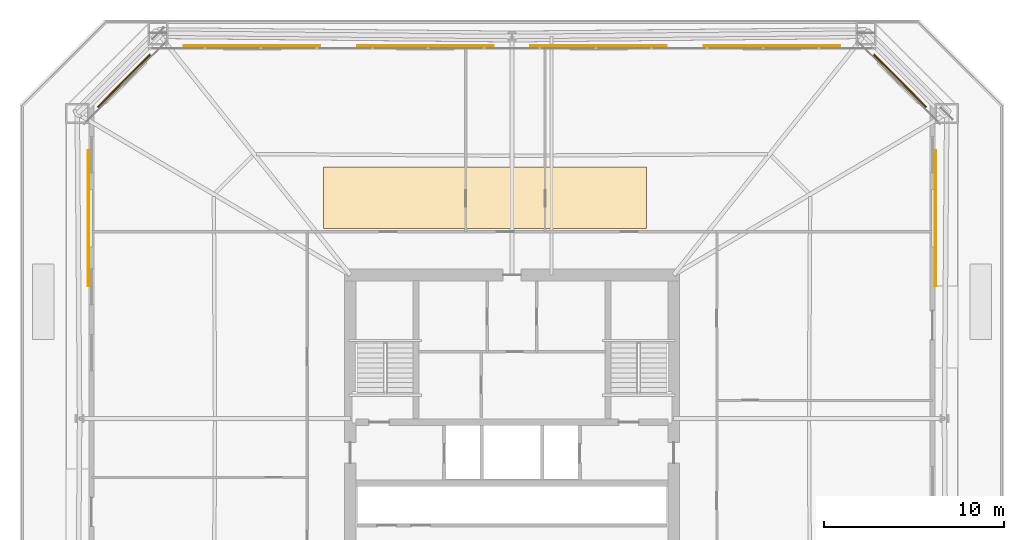
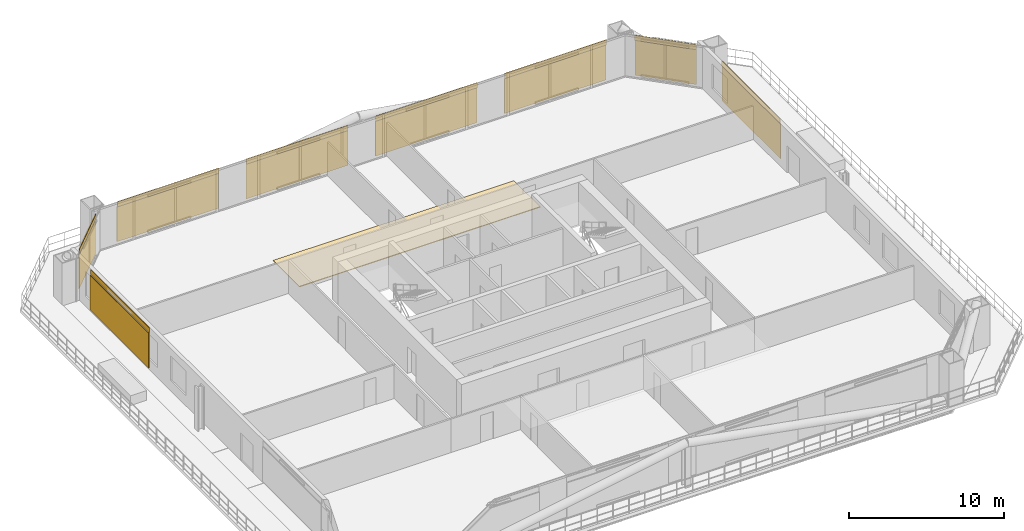
# One storey, part 34 of 34: 9 coverings, 8 shading devices.
"""IFC4 building model written with IfcOpenShell, lengths in metres."""

from ifc_helpers import new_model, si_unit, direction, frame, origin, origin_2d, place, context, subcontext, project, spatial, polyline, rectangle, outline, extrude, material, layer, layer_set, type_object, element, save


model = new_model("IFC4")

# Units and contexts
model_context = context("Model", 3, precision=1e-05, world=origin(), true_north=direction((0.0, 1.0)))
body_context = subcontext(model_context, "Body", "Model", "MODEL_VIEW")
ifc_project = project(units=[si_unit("LENGTHUNIT", "METRE"), si_unit("AREAUNIT", "SQUARE_METRE"), si_unit("VOLUMEUNIT", "CUBIC_METRE"), si_unit("PLANEANGLEUNIT", "RADIAN"), si_unit("MASSUNIT", "GRAM", prefix="KILO")], contexts=[model_context])

# Site, building, storey
site_placement = place(None, origin())
site = spatial("IfcSite", under=ifc_project, at=site_placement, CompositionType="ELEMENT")
building_placement = place(site_placement, origin())
building = spatial("IfcBuilding", under=site, at=building_placement, Name="Caelvoria Tower", CompositionType="ELEMENT")
storey_placement = place(building_placement, frame((0.0, 0.0, 28.0)))
storey = spatial("IfcBuildingStorey", under=building, at=storey_placement, Name="L06", CompositionType="ELEMENT", Elevation=28.0)

# Coverings
ifc_material_1 = material(Name="Perforated Architectural Bronze Cladding Screen", Category="bronze")
ifc_layer_1 = layer(ifc_material_1, 0.0400390625, Name="Perforated Architectural Bronze Cladding Screen")
ifc_layer_set_1 = layer_set([ifc_layer_1], Name="Perforated Bronze Louvre Cladding Band 40 - Perforated Architectural Bronze Cladding Screen")
covering_type_1 = type_object("IfcCoveringType", Name="Perforated Bronze Louvre Cladding Band 40", PredefinedType="CLADDING", material=ifc_layer_set_1)
covering_1_placement = place(storey_placement, frame((69.572021484375, 43.159912109375, 2.93994140625), z_axis=(0.0, 0.0, 1.0), x_axis=(0.0, 1.0, 0.0)))
element("IfcCovering", 1, at=covering_1_placement, inside=storey, type_object=covering_type_1, Name="Perforated Bronze Screen Band L06-E2-02", PredefinedType="CLADDING", context=body_context, shape_type="SweptSolid", body=[
    extrude(rectangle(XDim=7.60009765625, YDim=0.0400390625, at=origin_2d()), origin(), (0.0, 0.0, 1.0), 0.39990234375),
])
covering_2_placement = place(storey_placement, frame((67.59619140625, 50.79638671875, 2.93994140625), z_axis=(0.0, 0.0, 1.0), x_axis=(-0.707106781187, 0.707106781187, 0.0)))
element("IfcCovering", 2, at=covering_2_placement, inside=storey, type_object=covering_type_1, Name="Perforated Bronze Screen Band L06-E3-00", PredefinedType="CLADDING", context=body_context, shape_type="SweptSolid", body=[
    extrude(rectangle(XDim=4.140625, YDim=0.0400390625, at=origin_2d()), origin(), (0.0, 0.0, 1.0), 0.39990234375),
])
for number, where, z_axis, x_axis, name in (
    (3, (60.47509765625, 52.721923828125, 2.93994140625), (0.0, 0.0, 1.0), (-1.0, 0.0, 0.0), "Perforated Bronze Screen Band L06-E4-00"),
    (4, (50.824951171875, 52.721923828125, 2.93994140625), (0.0, 0.0, 1.0), (-1.0, 0.0, 0.0), "Perforated Bronze Screen Band L06-E4-01"),
    (5, (41.175048828125, 52.721923828125, 2.93994140625), (0.0, 0.0, 1.0), (-1.0, 0.0, 0.0), "Perforated Bronze Screen Band L06-E4-02"),
    (6, (31.52490234375, 52.721923828125, 2.93994140625), (0.0, 0.0, 1.0), (-1.0, 0.0, 0.0), "Perforated Bronze Screen Band L06-E4-03"),
):
    element("IfcCovering", number, at=place(storey_placement, frame(where, z_axis=z_axis, x_axis=x_axis)), inside=storey, type_object=covering_type_1, Name=name, PredefinedType="CLADDING", context=body_context, shape_type="SweptSolid", body=[
        extrude(rectangle(XDim=7.60009765625, YDim=0.0400390625, at=origin_2d()), origin(), (0.0, 0.0, 1.0), 0.39990234375),
    ])
covering_3_placement = place(storey_placement, frame((24.40380859375, 50.79638671875, 2.93994140625), z_axis=(0.0, 0.0, 1.0), x_axis=(-0.707106781187, -0.707106781187, 0.0)))
element("IfcCovering", 7, at=covering_3_placement, inside=storey, type_object=covering_type_1, Name="Perforated Bronze Screen Band L06-E5-00", PredefinedType="CLADDING", context=body_context, shape_type="SweptSolid", body=[
    extrude(rectangle(XDim=4.140625, YDim=0.0400390625, at=origin_2d()), origin(), (0.0, 0.0, 1.0), 0.39990234375),
])
covering_4_placement = place(storey_placement, frame((22.427978515625, 43.159912109375, 2.93994140625), z_axis=(0.0, 0.0, 1.0), x_axis=(0.0, -1.0, 0.0)))
element("IfcCovering", 8, at=covering_4_placement, inside=storey, type_object=covering_type_1, Name="Perforated Bronze Screen Band L06-E6-00", PredefinedType="CLADDING", context=body_context, shape_type="SweptSolid", body=[
    extrude(rectangle(XDim=7.60009765625, YDim=0.0400390625, at=origin_2d()), origin(), (0.0, 0.0, 1.0), 0.39990234375),
])

# Shading devices
ifc_material_2 = material(Name="Perforated Architectural Bronze Alloy Panel", Category="bronze")
ifc_layer_2 = layer(ifc_material_2, 0.044921875, Name="Perforated Architectural Bronze Alloy Panel")
ifc_layer_set_2 = layer_set([ifc_layer_2], Name="Perforated Bronze Solar Screen Panel SCREEN - Perforated Architectural Bronze Alloy Panel")
shading_device_type = type_object("IfcShadingDeviceType", Name="Perforated Bronze Solar Screen Panel SCREEN", PredefinedType="USERDEFINED", material=ifc_layer_set_2)
shading_device_1_placement = place(storey_placement, frame((69.614990234375, 43.159912109375, 0.159912109375), z_axis=(0.0, 0.0, 1.0), x_axis=(0.0, 1.0, 0.0)))
element("IfcShadingDevice", 9, at=shading_device_1_placement, inside=storey, type_object=shading_device_type, Name="Perforated Bronze Solar Screen L06-E2-02", ObjectType="SCREEN", PredefinedType="USERDEFINED", context=body_context, shape_type="SweptSolid", body=[
    extrude(rectangle(XDim=7.60009765625, YDim=0.044921875, at=origin_2d()), origin(), (0.0, 0.0, 1.0), 2.75),
])
shading_device_2_placement = place(storey_placement, frame((67.626708984375, 50.82666015625, 0.159912109375), z_axis=(0.0, 0.0, 1.0), x_axis=(-0.707106781187, 0.707106781187, 0.0)))
element("IfcShadingDevice", 10, at=shading_device_2_placement, inside=storey, type_object=shading_device_type, Name="Perforated Bronze Solar Screen L06-E3-00", ObjectType="SCREEN", PredefinedType="USERDEFINED", context=body_context, shape_type="SweptSolid", body=[
    extrude(rectangle(XDim=4.140625, YDim=0.044921875, at=origin_2d()), origin(), (0.0, 0.0, 1.0), 2.75),
])
for number, where, z_axis, x_axis, name in (
    (11, (60.47509765625, 52.764892578125, 0.159912109375), (0.0, 0.0, 1.0), (-1.0, 0.0, 0.0), "Perforated Bronze Solar Screen L06-E4-00"),
    (12, (50.824951171875, 52.764892578125, 0.159912109375), (0.0, 0.0, 1.0), (-1.0, 0.0, 0.0), "Perforated Bronze Solar Screen L06-E4-01"),
    (13, (41.175048828125, 52.764892578125, 0.159912109375), (0.0, 0.0, 1.0), (-1.0, 0.0, 0.0), "Perforated Bronze Solar Screen L06-E4-02"),
    (14, (31.52490234375, 52.764892578125, 0.159912109375), (0.0, 0.0, 1.0), (-1.0, 0.0, 0.0), "Perforated Bronze Solar Screen L06-E4-03"),
):
    element("IfcShadingDevice", number, at=place(storey_placement, frame(where, z_axis=z_axis, x_axis=x_axis)), inside=storey, type_object=shading_device_type, Name=name, ObjectType="SCREEN", PredefinedType="USERDEFINED", context=body_context, shape_type="SweptSolid", body=[
        extrude(rectangle(XDim=7.60009765625, YDim=0.044921875, at=origin_2d()), origin(), (0.0, 0.0, 1.0), 2.75),
    ])
shading_device_3_placement = place(storey_placement, frame((24.373291015625, 50.82666015625, 0.159912109375), z_axis=(0.0, 0.0, 1.0), x_axis=(-0.707106781187, -0.707106781187, 0.0)))
element("IfcShadingDevice", 15, at=shading_device_3_placement, inside=storey, type_object=shading_device_type, Name="Perforated Bronze Solar Screen L06-E5-00", ObjectType="SCREEN", PredefinedType="USERDEFINED", context=body_context, shape_type="SweptSolid", body=[
    extrude(rectangle(XDim=4.140625, YDim=0.044921875, at=origin_2d()), origin(), (0.0, 0.0, 1.0), 2.75),
])
shading_device_4_placement = place(storey_placement, frame((22.385009765625, 43.159912109375, 0.159912109375), z_axis=(0.0, 0.0, 1.0), x_axis=(0.0, -1.0, 0.0)))
element("IfcShadingDevice", 16, at=shading_device_4_placement, inside=storey, type_object=shading_device_type, Name="Perforated Bronze Solar Screen L06-E6-00", ObjectType="SCREEN", PredefinedType="USERDEFINED", context=body_context, shape_type="SweptSolid", body=[
    extrude(rectangle(XDim=7.60009765625, YDim=0.044921875, at=origin_2d()), origin(), (0.0, 0.0, 1.0), 2.75),
])

# Covering
ifc_material_3 = material(Name="Calcium-Sulphate Raised Floor Tile", Category="gypsum")
ifc_layer_3 = layer(ifc_material_3, 0.06005859375, Name="Calcium-Sulphate Raised Floor Tile")
ifc_layer_set_3 = layer_set([ifc_layer_3], Name="Raised Access Office Floor System 120 - Calcium-Sulphate Raised Floor Tile")
covering_type_2 = type_object("IfcCoveringType", Name="Raised Access Office Floor System 120", PredefinedType="FLOORING", material=ifc_layer_set_3)
covering_5_placement = place(storey_placement, origin())
element("IfcCovering", 17, at=covering_5_placement, inside=storey, type_object=covering_type_2, Name="Raised Access Flooring L06", PredefinedType="FLOORING", context=body_context, shape_type="SweptSolid", body=[
    extrude(outline(polyline([(35.5, 42.60009765625), (53.5, 42.60009765625), (53.5, 46.0), (35.5, 46.0), (35.5, 42.60009765625)])), origin(), (0.0, 0.0, 1.0), 0.06005859375),
])

save(model, "model.ifc")
